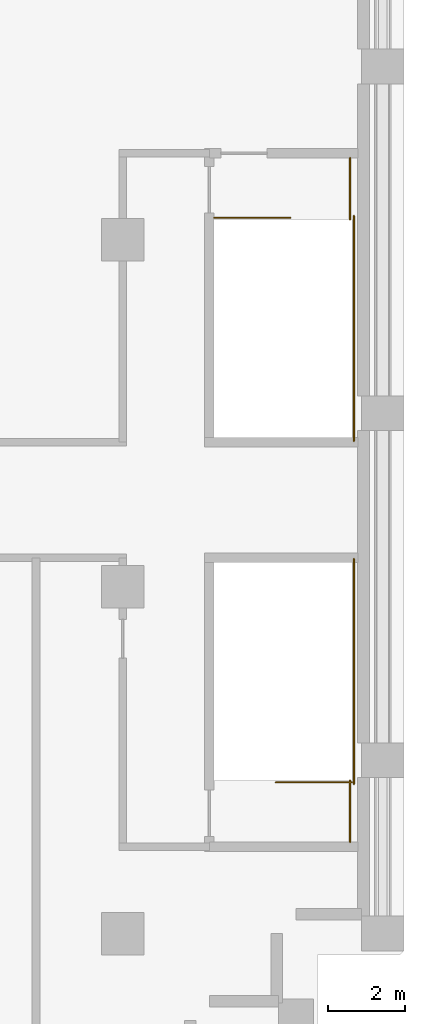
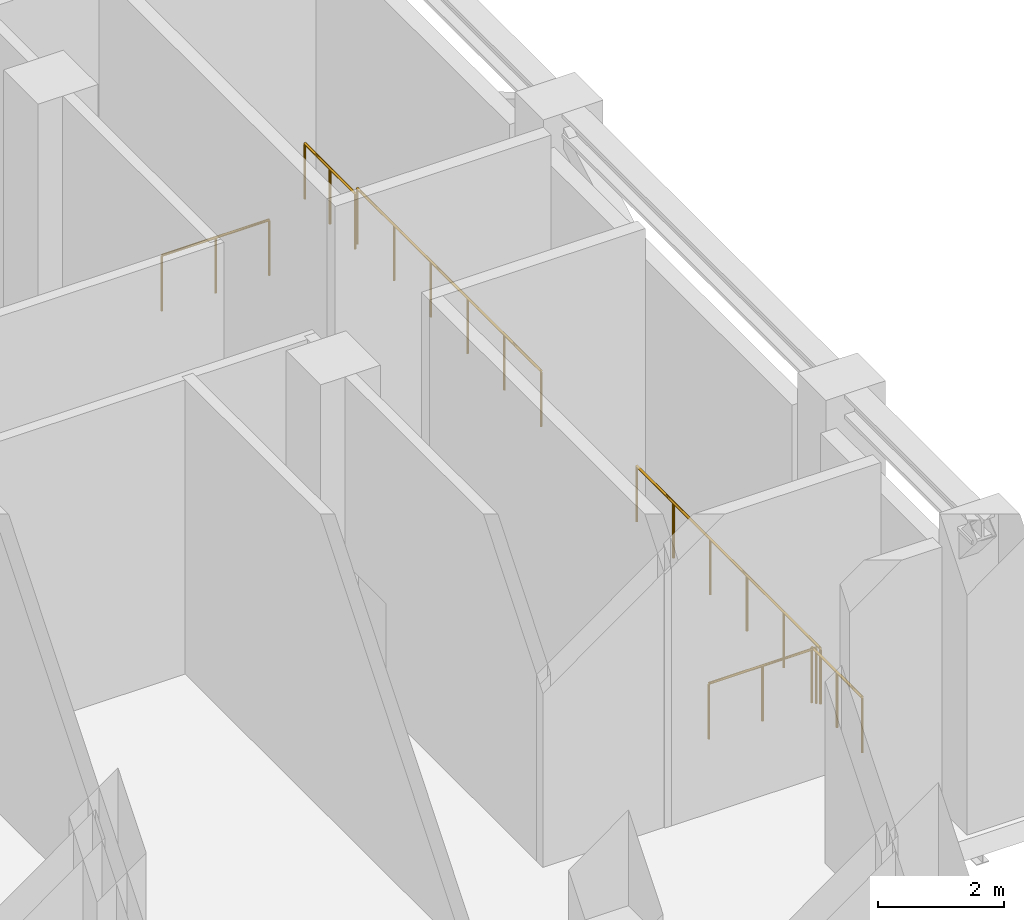
# One storey, part 13 of 14: 2 railings.
"""IFC4 building model written with IfcOpenShell, lengths in metres."""

import ifcopenshell
import ifcopenshell.guid

model = None  # the IFC model being written
_history = None  # IfcOwnerHistory: only IFC2X3 demands one
_inside = {}  # id of a spatial element -> (the spatial element, [elements in it])
_under = {}  # id of a project, library or spatial element -> (it, [spatial elements below it])
_declared = {}  # id of a project -> (the project, [libraries it declares])
_typed = {}  # id of a type object -> (the type object, [elements of that type])
_made_of = {}  # id of a material, layer set ... -> (it, [elements and type objects made of it])


def new_model(schema):
    """Start an empty IFC model of exactly this schema.

    Asked for "IFC4X3", IfcOpenShell would pick the latest addendum, in which some entities
    have other attributes; the version numbers below select the first issue.
    IFC2X3 requires an IfcOwnerHistory on every rooted entity: one is made here for all.
    """
    global model, _history
    if schema == "IFC4X3":
        model = ifcopenshell.file(schema_version=(4, 3, 0, 0))
    else:
        model = ifcopenshell.file(schema=schema)
    _inside.clear()
    _under.clear()
    _declared.clear()
    _typed.clear()
    _made_of.clear()
    _history = None
    if model.schema == "IFC2X3":
        org = make("IfcOrganization", Name="unknown")
        user = make(
            "IfcPersonAndOrganization",
            ThePerson=make("IfcPerson", FamilyName="unknown"),
            TheOrganization=org,
        )
        app = make(
            "IfcApplication",
            ApplicationDeveloper=org,
            Version="unknown",
            ApplicationFullName="unknown",
            ApplicationIdentifier="unknown",
        )
        _history = make(
            "IfcOwnerHistory",
            OwningUser=user,
            OwningApplication=app,
            ChangeAction="ADDED",
            CreationDate=0,
        )
    return model


def make(cls, **values):
    """One entity of the class cls with the attributes given. An attribute that is None is left unset."""
    return model.create_entity(
        cls, **{name: value for name, value in values.items() if value is not None}
    )


def rooted(cls, **values):
    """An entity with a GlobalId (a new one), such as an element, a storey or a relation."""
    return make(cls, GlobalId=ifcopenshell.guid.new(), OwnerHistory=_history, **values)


def si_unit(unit_type, name, prefix=None):
    """IfcSIUnit, for example si_unit("LENGTHUNIT", "METRE", prefix="MILLI")."""
    return make("IfcSIUnit", UnitType=unit_type, Prefix=prefix, Name=name)


def assignment(units):
    """IfcUnitAssignment: the units of a project."""
    return None if units is None else make("IfcUnitAssignment", Units=units)


def point(xyz):
    """IfcCartesianPoint."""
    return None if xyz is None else make("IfcCartesianPoint", Coordinates=xyz)


def direction(xyz):
    """IfcDirection."""
    return None if xyz is None else make("IfcDirection", DirectionRatios=xyz)


def frame(location, z_axis=None, x_axis=None):
    """IfcAxis2Placement3D, a coordinate frame: its origin and axes. An axis left out is left unset."""
    return make(
        "IfcAxis2Placement3D",
        Location=point(location),
        Axis=direction(z_axis),
        RefDirection=direction(x_axis),
    )


def frame_2d(location, x_axis=None):
    """IfcAxis2Placement2D, a coordinate frame in the plane: its origin and x axis."""
    return make(
        "IfcAxis2Placement2D", Location=point(location), RefDirection=direction(x_axis)
    )


def origin():
    """The frame at (0, 0, 0) with its axes left unset."""
    return frame((0.0, 0.0, 0.0))


def origin_2d():
    """The frame at (0, 0) in the plane with its x axis left unset."""
    return frame_2d((0.0, 0.0))


def place(relative_to, where):
    """IfcLocalPlacement: puts the frame where relative to a parent placement (None: the world)."""
    return make(
        "IfcLocalPlacement", PlacementRelTo=relative_to, RelativePlacement=where
    )


def context(
    kind, dimensions, precision=None, world=None, true_north=None, identifier=None
):
    """IfcGeometricRepresentationContext, for example the 3D "Model" context."""
    return make(
        "IfcGeometricRepresentationContext",
        ContextIdentifier=identifier,
        ContextType=kind,
        CoordinateSpaceDimension=dimensions,
        Precision=precision,
        WorldCoordinateSystem=world,
        TrueNorth=true_north,
    )


def subcontext(parent, identifier, kind, view, scale=None):
    """IfcGeometricRepresentationSubContext, for example "Body" below "Model"."""
    return make(
        "IfcGeometricRepresentationSubContext",
        ContextIdentifier=identifier,
        ContextType=kind,
        ParentContext=parent,
        TargetScale=scale,
        TargetView=view,
    )


def project(units=None, contexts=None):
    """IfcProject with its units and contexts."""
    return rooted(
        "IfcProject",
        Name="project",
        RepresentationContexts=contexts,
        UnitsInContext=assignment(units),
    )


def spatial(cls, under=None, at=None, **own):
    """A site, building, storey or space (cls), placed at a placement, below another one or the project."""
    s = rooted(cls, ObjectPlacement=at, **own)
    if under is not None:
        _under.setdefault(under.id(), (under, []))[1].append(s)
    return s


def profile(cls, at=None, kind="AREA", **sizes):
    """A parametric profile (cls). Its sizes go by their IFC names, for example OverallWidth=200.0."""
    return make(cls, ProfileType=kind, Position=at, **sizes)


def circle(**sizes):
    """IfcCircleProfileDef."""
    return profile("IfcCircleProfileDef", **sizes)


def extrude(swept, where, along, depth):
    """IfcExtrudedAreaSolid: the profile swept, set in the frame where, extruded along a direction by depth."""
    return make(
        "IfcExtrudedAreaSolid",
        SweptArea=swept,
        Position=where,
        ExtrudedDirection=direction(along),
        Depth=depth,
    )


def shape(context_of_items, identifier, shape_type, items):
    """IfcShapeRepresentation: the items that make up one representation, for example the "Body"."""
    return make(
        "IfcShapeRepresentation",
        ContextOfItems=context_of_items,
        RepresentationIdentifier=identifier,
        RepresentationType=shape_type,
        Items=items,
    )


def material(Name=None, Category=None):
    """IfcMaterial."""
    return make("IfcMaterial", Name=Name, Category=Category)


def made_of(thing, what):
    """Note that an element or type object is made of a material, layer set ...; save() writes the relation."""
    if what is not None:
        _made_of.setdefault(what.id(), (what, []))[1].append(thing)
    return thing


def type_object(cls, material=None, **own):
    """A type object (cls), such as IfcWallType, which elements share."""
    return made_of(rooted(cls, **own), material)


def element(
    cls,
    number,
    at=None,
    inside=None,
    cuts=None,
    type_object=None,
    material=None,
    context=None,
    identifier="Body",
    shape_type=None,
    held_by="IfcProductDefinitionShape",
    body=None,
    shapes=None,
    **own,
):
    """One element of the class cls, such as IfcWall. Its Tag is "e" and its number.

    at: its placement. inside: the storey or other place that contains it. cuts: it is an
    opening in that element (IfcRelVoidsElement). A single representation is given by context,
    identifier, shape_type and body (its items); several are given by shapes. held_by: the class
    of the entity that holds the representations. save() writes the other relations.
    """
    e = rooted(cls, Tag="e%d" % number, ObjectPlacement=at, **own)
    if body is not None:
        shapes = [shape(context, identifier, shape_type, body)]
    if shapes is not None:
        e.Representation = make(held_by, Representations=shapes)
    if inside is not None:
        _inside.setdefault(inside.id(), (inside, []))[1].append(e)
    if cuts is not None:
        rooted(
            "IfcRelVoidsElement", RelatingBuildingElement=cuts, RelatedOpeningElement=e
        )
    if type_object is not None:
        _typed.setdefault(type_object.id(), (type_object, []))[1].append(e)
    return made_of(e, material)


def aggregate(whole, parts):
    """IfcRelAggregates: a whole, such as a stair, and the parts it consists of."""
    return rooted("IfcRelAggregates", RelatingObject=whole, RelatedObjects=parts)


def save(model, path):
    """Write the relations noted so far, then the file.

    IfcRelAggregates (storeys below a building ...), IfcRelContainedInSpatialStructure (elements
    in a storey), IfcRelDefinesByType, IfcRelAssociatesMaterial and IfcRelDeclares: one each for
    every whole, place, type object, material and project.
    """
    for whole, parts in _under.values():
        aggregate(whole, parts)
    for where, things in _inside.values():
        rooted(
            "IfcRelContainedInSpatialStructure",
            RelatedElements=things,
            RelatingStructure=where,
        )
    for kind, things in _typed.values():
        rooted("IfcRelDefinesByType", RelatedObjects=things, RelatingType=kind)
    for what, things in _made_of.values():
        rooted("IfcRelAssociatesMaterial", RelatedObjects=things, RelatingMaterial=what)
    for by, libraries in _declared.values():
        rooted("IfcRelDeclares", RelatingContext=by, RelatedDefinitions=libraries)
    model.write(path)


model = new_model("IFC4")

# Units and contexts
model_context = context("Model", 3, precision=1e-05, world=origin(), true_north=direction((0.0, 1.0)))
body_context = subcontext(model_context, "Body", "Model", "MODEL_VIEW")
ifc_project = project(units=[si_unit("LENGTHUNIT", "METRE"), si_unit("AREAUNIT", "SQUARE_METRE"), si_unit("VOLUMEUNIT", "CUBIC_METRE"), si_unit("PLANEANGLEUNIT", "RADIAN"), si_unit("MASSUNIT", "GRAM", prefix="KILO")], contexts=[model_context])

# Site, building, storey
site_placement = place(None, origin())
site = spatial("IfcSite", under=ifc_project, at=site_placement, CompositionType="ELEMENT")
building_placement = place(site_placement, origin())
building = spatial("IfcBuilding", under=site, at=building_placement, Name="Corbelhall Arena Tower", CompositionType="ELEMENT")
storey_placement = place(building_placement, frame((0.0, 0.0, 178.0)))
storey = spatial("IfcBuildingStorey", under=building, at=storey_placement, Name="L36", CompositionType="ELEMENT", Elevation=178.0)

# Railings
ifc_material = material(Name="Steel ASTM A500 Gr C", Category="steel")
railing_type = type_object("IfcRailingType", Name="IN-GD-1100", PredefinedType="GUARDRAIL", material=ifc_material)
railing_1_placement = place(storey_placement, frame((39.699951171875, -9.574951171875, 0.0)))
element("IfcRailing", 1, at=railing_1_placement, inside=storey, type_object=railing_type, Name="L36 SD1 stair guards and handrails", PredefinedType="GUARDRAIL", context=body_context, shape_type="SweptSolid", body=[
    extrude(circle(Radius=0.02392578125, at=origin_2d()), frame((0.0, 0.0, 1.076171875), z_axis=(-1.0, 0.0, 0.0), x_axis=(0.0, -1.0, 0.0)), (0.0, 0.0, 1.0), 1.974853515625),
    extrude(circle(Radius=0.02392578125, at=origin_2d()), frame((0.050048828125, -0.050048828125, 1.076171875), z_axis=(0.0, 1.0, 0.0), x_axis=(-1.0, 0.0, 0.0)), (0.0, 0.0, 1.0), 5.85009765625),
    extrude(circle(Radius=0.02392578125, at=origin_2d()), frame((-0.050048828125, -1.550048828125, 1.076171875), z_axis=(0.0, 1.0, 0.0), x_axis=(-1.0, 0.0, 0.0)), (0.0, 0.0, 1.0), 1.60009765625),
    extrude(circle(Radius=0.02099609375, at=origin_2d()), origin(), (0.0, 0.0, 1.0), 1.052001953125),
    extrude(circle(Radius=0.02099609375, at=origin_2d()), frame((-0.9873046875, 0.0, 0.0)), (0.0, 0.0, 1.0), 1.052001953125),
    extrude(circle(Radius=0.02099609375, at=origin_2d()), frame((-1.974853515625, 0.0, 0.0)), (0.0, 0.0, 1.0), 1.052001953125),
    extrude(circle(Radius=0.02099609375, at=origin_2d()), frame((0.050048828125, -0.050048828125, 0.0)), (0.0, 0.0, 1.0), 1.052001953125),
    extrude(circle(Radius=0.02099609375, at=origin_2d()), frame((0.050048828125, 1.119873046875, 0.0)), (0.0, 0.0, 1.0), 1.052001953125),
    extrude(circle(Radius=0.02099609375, at=origin_2d()), frame((0.050048828125, 2.2900390625, 0.0)), (0.0, 0.0, 1.0), 1.052001953125),
    extrude(circle(Radius=0.02099609375, at=origin_2d()), frame((0.050048828125, 3.4599609375, 0.0)), (0.0, 0.0, 1.0), 1.052001953125),
    extrude(circle(Radius=0.02099609375, at=origin_2d()), frame((0.050048828125, 4.630126953125, 0.0)), (0.0, 0.0, 1.0), 1.052001953125),
    extrude(circle(Radius=0.02099609375, at=origin_2d()), frame((0.050048828125, 5.800048828125, 0.0)), (0.0, 0.0, 1.0), 1.052001953125),
    extrude(circle(Radius=0.02099609375, at=origin_2d()), frame((-0.050048828125, -1.550048828125, 0.0)), (0.0, 0.0, 1.0), 1.052001953125),
    extrude(circle(Radius=0.02099609375, at=origin_2d()), frame((-0.050048828125, -0.75, 0.0)), (0.0, 0.0, 1.0), 1.052001953125),
    extrude(circle(Radius=0.02099609375, at=origin_2d()), frame((-0.050048828125, 0.050048828125, 0.0)), (0.0, 0.0, 1.0), 1.052001953125),
])
railing_2_placement = place(storey_placement, frame((36.125, 5.074951171875, 0.0)))
element("IfcRailing", 2, at=railing_2_placement, inside=storey, type_object=railing_type, Name="L36 SD2 stair guards and handrails", PredefinedType="GUARDRAIL", context=body_context, shape_type="SweptSolid", body=[
    extrude(circle(Radius=0.02392578125, at=origin_2d()), frame((0.0, 0.0, 1.076171875), z_axis=(1.0, 0.0, 0.0), x_axis=(0.0, 1.0, 0.0)), (0.0, 0.0, 1.0), 1.97509765625),
    extrude(circle(Radius=0.02392578125, at=origin_2d()), frame((3.625, 0.050048828125, 1.076171875), z_axis=(0.0, -1.0, 0.0), x_axis=(1.0, 0.0, 0.0)), (0.0, 0.0, 1.0), 5.85009765625),
    extrude(circle(Radius=0.02392578125, at=origin_2d()), frame((3.52490234375, 1.550048828125, 1.076171875), z_axis=(0.0, -1.0, 0.0), x_axis=(1.0, 0.0, 0.0)), (0.0, 0.0, 1.0), 1.60009765625),
    extrude(circle(Radius=0.02099609375, at=origin_2d()), origin(), (0.0, 0.0, 1.0), 1.052001953125),
    extrude(circle(Radius=0.02099609375, at=origin_2d()), frame((0.987548828125, 0.0, 0.0)), (0.0, 0.0, 1.0), 1.052001953125),
    extrude(circle(Radius=0.02099609375, at=origin_2d()), frame((1.97509765625, 0.0, 0.0)), (0.0, 0.0, 1.0), 1.052001953125),
    extrude(circle(Radius=0.02099609375, at=origin_2d()), frame((3.625, 0.050048828125, 0.0)), (0.0, 0.0, 1.0), 1.052001953125),
    extrude(circle(Radius=0.02099609375, at=origin_2d()), frame((3.625, -1.119873046875, 0.0)), (0.0, 0.0, 1.0), 1.052001953125),
    extrude(circle(Radius=0.02099609375, at=origin_2d()), frame((3.625, -2.2900390625, 0.0)), (0.0, 0.0, 1.0), 1.052001953125),
    extrude(circle(Radius=0.02099609375, at=origin_2d()), frame((3.625, -3.4599609375, 0.0)), (0.0, 0.0, 1.0), 1.052001953125),
    extrude(circle(Radius=0.02099609375, at=origin_2d()), frame((3.625, -4.630126953125, 0.0)), (0.0, 0.0, 1.0), 1.052001953125),
    extrude(circle(Radius=0.02099609375, at=origin_2d()), frame((3.625, -5.800048828125, 0.0)), (0.0, 0.0, 1.0), 1.052001953125),
    extrude(circle(Radius=0.02099609375, at=origin_2d()), frame((3.52490234375, 1.550048828125, 0.0)), (0.0, 0.0, 1.0), 1.052001953125),
    extrude(circle(Radius=0.02099609375, at=origin_2d()), frame((3.52490234375, 0.75, 0.0)), (0.0, 0.0, 1.0), 1.052001953125),
    extrude(circle(Radius=0.02099609375, at=origin_2d()), frame((3.52490234375, -0.050048828125, 0.0)), (0.0, 0.0, 1.0), 1.052001953125),
])

save(model, "model.ifc")
